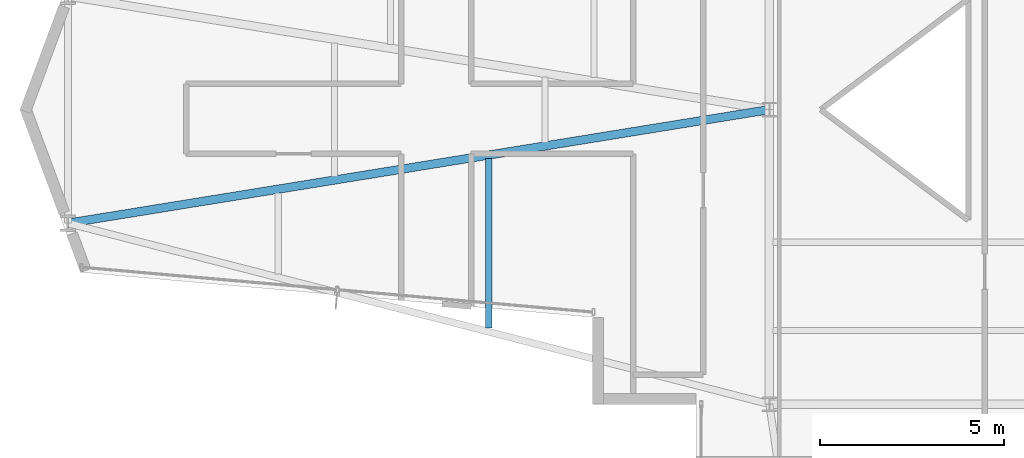
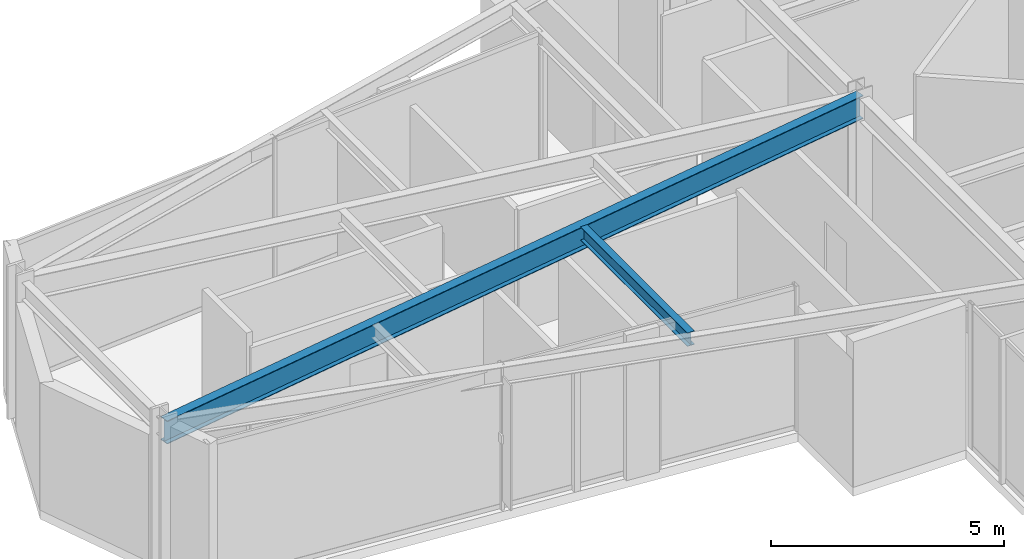
# One storey, part 5 of 25: 2 beams.
"""IFC4 building model written with IfcOpenShell, lengths in metres."""

from ifc_helpers import new_model, si_unit, direction, frame, origin, origin_2d, place, context, subcontext, project, spatial, i_section, extrude, material, material_profile, profile_set, type_object, element, save


model = new_model("IFC4")

# Units and contexts
model_context = context("Model", 3, precision=1e-05, world=origin(), true_north=direction((0.0, 1.0)))
body_context = subcontext(model_context, "Body", "Model", "MODEL_VIEW")
ifc_project = project(units=[si_unit("LENGTHUNIT", "METRE"), si_unit("AREAUNIT", "SQUARE_METRE"), si_unit("VOLUMEUNIT", "CUBIC_METRE"), si_unit("PLANEANGLEUNIT", "RADIAN"), si_unit("MASSUNIT", "GRAM", prefix="KILO")], contexts=[model_context])

# Site, building, storey
site_placement = place(None, origin())
site = spatial("IfcSite", under=ifc_project, at=site_placement, CompositionType="ELEMENT")
building_placement = place(site_placement, origin())
building = spatial("IfcBuilding", under=site, at=building_placement, Name="Veymaron Broadcast Tower", CompositionType="ELEMENT")
storey_placement = place(building_placement, frame((0.0, 0.0, 169.5)))
storey = spatial("IfcBuildingStorey", under=building, at=storey_placement, Name="L39", CompositionType="ELEMENT", Elevation=169.5)

# Beams
ifc_material = material(Name="Structural steel ASTM A992 Gr 50", Category="steel")
ifc_material_profile_1 = material_profile(ifc_material, i_section(OverallWidth=0.22802734375, OverallDepth=0.60791015625, WebThickness=0.01123046875, FlangeThickness=0.017333984375, at=origin_2d()), Name="W610X113")
ifc_profile_set_1 = profile_set([ifc_material_profile_1], Name="Structural steel ASTM A992 Gr 50")
beam_type_1 = type_object("IfcBeamType", Name="BM-FG2", PredefinedType="BEAM", material=ifc_profile_set_1)
beam_1_placement = place(storey_placement, frame((12.14697265625, 20.9150390625, 3.506103515625), z_axis=(0.987144017424, 0.159833315875, 0.0), x_axis=(-0.159833315875, 0.987144017424, 0.0)))
element("IfcBeam", 1, at=beam_1_placement, inside=storey, type_object=beam_type_1, Name="L39 primary structural floor girder", PredefinedType="BEAM", context=body_context, shape_type="SweptSolid", body=[
    extrude(i_section(OverallWidth=0.22802734375, OverallDepth=0.60791015625, WebThickness=0.01123046875, FlangeThickness=0.017333984375, at=origin_2d()), origin(), (0.0, 0.0, 1.0), 19.301025390625),
])
ifc_material_profile_2 = material_profile(ifc_material, i_section(OverallWidth=0.1708984375, OverallDepth=0.35498046875, WebThickness=0.007080078125, FlangeThickness=0.01171875, at=origin_2d()), Name="W360X51")
ifc_profile_set_2 = profile_set([ifc_material_profile_2], Name="Structural steel ASTM A992 Gr 50")
beam_type_2 = type_object("IfcBeamType", Name="BM-JS2", PredefinedType="JOIST", material=ifc_profile_set_2)
beam_2_placement = place(storey_placement, frame((23.578857421875, 18.06591796875, 3.632568359375), z_axis=(0.0, 1.0, 0.0), x_axis=(-1.0, 0.0, 0.0)))
element("IfcBeam", 2, at=beam_2_placement, inside=storey, type_object=beam_type_2, Name="L39 Arm-A secondary joist 2S", PredefinedType="JOIST", context=body_context, shape_type="SweptSolid", body=[
    extrude(i_section(OverallWidth=0.1708984375, OverallDepth=0.35498046875, WebThickness=0.007080078125, FlangeThickness=0.01171875, at=origin_2d()), origin(), (0.0, 0.0, 1.0), 4.60009765625),
])

save(model, "model.ifc")
